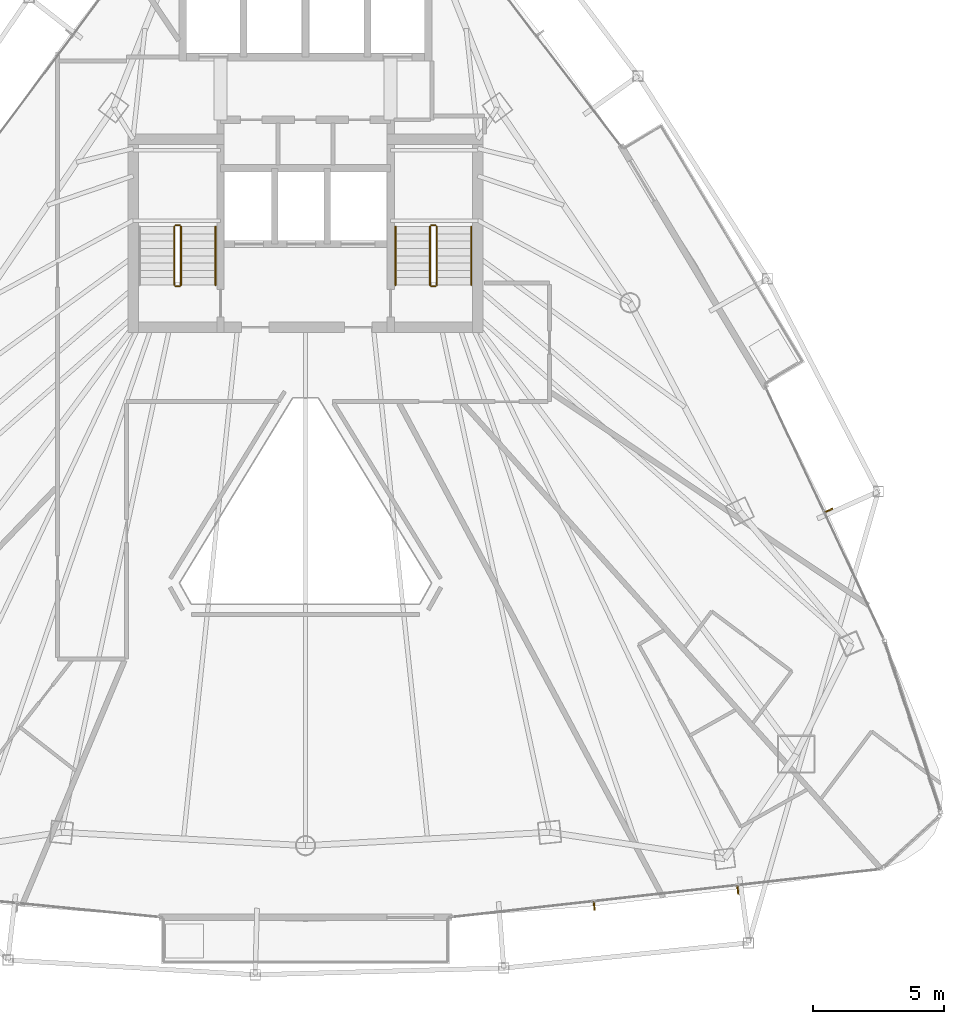
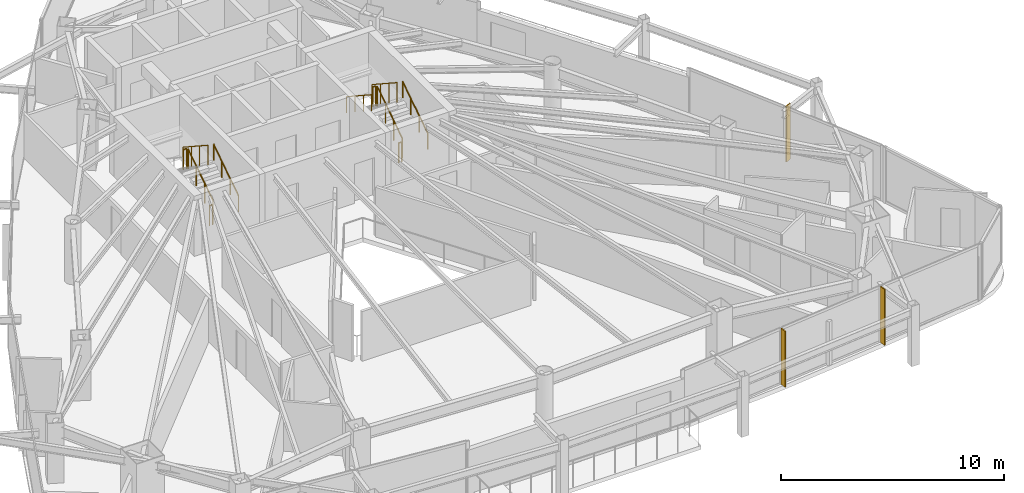
# One storey, part 29 of 30: 11 railings, 3 shading devices.
"""IFC4 building model written with IfcOpenShell, lengths in metres."""

from ifc_helpers import new_model, si_unit, direction, frame, origin, origin_2d, place, context, subcontext, project, spatial, rectangle, circle, extrude, material, layer, layer_set, type_object, element, save


model = new_model("IFC4")

# Units and contexts
model_context = context("Model", 3, precision=1e-05, world=origin(), true_north=direction((0.0, 1.0)))
body_context = subcontext(model_context, "Body", "Model", "MODEL_VIEW")
ifc_project = project(units=[si_unit("LENGTHUNIT", "METRE"), si_unit("AREAUNIT", "SQUARE_METRE"), si_unit("VOLUMEUNIT", "CUBIC_METRE"), si_unit("PLANEANGLEUNIT", "RADIAN"), si_unit("MASSUNIT", "GRAM", prefix="KILO")], contexts=[model_context])

# Site, building, storey
site_placement = place(None, origin())
site = spatial("IfcSite", under=ifc_project, at=site_placement, CompositionType="ELEMENT")
building_placement = place(site_placement, origin())
building = spatial("IfcBuilding", under=site, at=building_placement, Name="Orvanel Arch Residences", CompositionType="ELEMENT")
storey_placement = place(building_placement, frame((0.0, 0.0, 180.35009765625)))
storey = spatial("IfcBuildingStorey", under=building, at=storey_placement, Name="L51", CompositionType="ELEMENT", Elevation=180.35009765625)

# Shading devices
ifc_material_1 = material(Name="Bronze-anodised aluminium AA6063-T6", Category="aluminium")
ifc_layer = layer(ifc_material_1, 0.054931640625)
ifc_layer_set = layer_set([ifc_layer], Name="Bronze-anodised aluminium AA6063-T6")
shading_device_type = type_object("IfcShadingDeviceType", Name="FIN-BRZ-320", PredefinedType="USERDEFINED", material=ifc_layer_set)
for number, where, z_axis, x_axis, name in (
    (1, (44.05908203125, 4.528076171875, -0.000244140625), (0.0, 0.0, 1.0), (0.111468932206, -0.993767919161, 0.0), "L51 Anodised Bronze Mullion FIN 01"),
    (2, (49.56103515625, 5.14306640625, -0.000244140625), (0.0, 0.0, 1.0), (0.111468932206, -0.993767919161, 0.0), "L51 Anodised Bronze Mullion FIN 02"),
    (3, (53.049072265625, 19.68701171875, -0.000244140625), (0.0, 0.0, 1.0), (0.904827052466, 0.425779291565, 0.0), "L51 Anodised Bronze Mullion FIN 01"),
):
    element("IfcShadingDevice", number, at=place(storey_placement, frame(where, z_axis=z_axis, x_axis=x_axis)), inside=storey, type_object=shading_device_type, Name=name, ObjectType="FIN", PredefinedType="USERDEFINED", context=body_context, shape_type="SweptSolid", body=[
        extrude(rectangle(XDim=0.320068359375, YDim=0.054931640625, at=origin_2d()), origin(), (0.0, 0.0, 1.0), 3.06005859375),
    ])

# Railings
ifc_material_2 = material(Name="Structural steel AS/NZS 1163 C350L0 (Grade 350)", Category="steel")
railing_type_1 = type_object("IfcRailingType", Name="RL-STAIR-GUARD", PredefinedType="GUARDRAIL", material=ifc_material_2)
railing_1_placement = place(storey_placement, frame((28.22998046875, 28.320068359375, 0.183349609375)))
element("IfcRailing", 4, at=railing_1_placement, inside=storey, type_object=railing_type_1, Name="L51 ST-1 stair guard 1", PredefinedType="GUARDRAIL", context=body_context, shape_type="SweptSolid", body=[
    extrude(circle(Radius=0.02392578125, at=origin_2d()), frame((0.0, 0.001220703125, 1.076904296875), z_axis=(0.0, 0.836636935527, 0.547757827979), x_axis=(-1.0, 0.0, 0.0)), (0.0, 0.0, 1.0), 2.67431640625),
    extrude(circle(Radius=0.02099609375, at=origin_2d()), origin(), (0.0, 0.0, 1.0), 1.050048828125),
    extrude(circle(Radius=0.02099609375, at=origin_2d()), frame((0.0, 0.74658203125, 0.48876953125)), (0.0, 0.0, 1.0), 1.050048828125),
    extrude(circle(Radius=0.02099609375, at=origin_2d()), frame((0.0, 1.493408203125, 0.977783203125)), (0.0, 0.0, 1.0), 1.050048828125),
    extrude(circle(Radius=0.02099609375, at=origin_2d()), frame((0.0, 2.239990234375, 1.466552734375)), (0.0, 0.0, 1.0), 1.050048828125),
])
railing_2_placement = place(storey_placement, frame((28.179931640625, 30.610107421875, 1.64990234375)))
element("IfcRailing", 5, at=railing_2_placement, inside=storey, type_object=railing_type_1, Name="L51 ST-1 stair guard 2", PredefinedType="GUARDRAIL", context=body_context, shape_type="SweptSolid", body=[
    extrude(circle(Radius=0.02392578125, at=origin_2d()), frame((-0.00146484375, 0.0, 1.076171875), z_axis=(-1.0, 0.0, 0.0), x_axis=(0.0, -1.0, 0.0)), (0.0, 0.0, 1.0), 0.156982421875),
    extrude(circle(Radius=0.02099609375, at=origin_2d()), origin(), (0.0, 0.0, 1.0), 1.050048828125),
    extrude(circle(Radius=0.02099609375, at=origin_2d()), frame((-0.159912109375, 0.0, 0.0)), (0.0, 0.0, 1.0), 1.050048828125),
])
railing_3_placement = place(storey_placement, frame((27.969970703125, 30.56005859375, 1.833251953125)))
element("IfcRailing", 6, at=railing_3_placement, inside=storey, type_object=railing_type_1, Name="L51 ST-1 stair guard 3", PredefinedType="GUARDRAIL", context=body_context, shape_type="SweptSolid", body=[
    extrude(circle(Radius=0.02392578125, at=origin_2d()), frame((0.0, -0.001220703125, 1.076904296875), z_axis=(0.0, -0.836636935527, 0.547757827979), x_axis=(1.0, 0.0, 0.0)), (0.0, 0.0, 1.0), 2.67431640625),
    extrude(circle(Radius=0.02099609375, at=origin_2d()), origin(), (0.0, 0.0, 1.0), 1.050048828125),
    extrude(circle(Radius=0.02099609375, at=origin_2d()), frame((0.0, -0.74658203125, 0.48876953125)), (0.0, 0.0, 1.0), 1.050048828125),
    extrude(circle(Radius=0.02099609375, at=origin_2d()), frame((0.0, -1.493408203125, 0.977783203125)), (0.0, 0.0, 1.0), 1.050048828125),
    extrude(circle(Radius=0.02099609375, at=origin_2d()), frame((0.0, -2.239990234375, 1.466552734375)), (0.0, 0.0, 1.0), 1.050048828125),
])
railing_4_placement = place(storey_placement, frame((28.179931640625, 28.27001953125, 0.0)))
element("IfcRailing", 7, at=railing_4_placement, inside=storey, type_object=railing_type_1, Name="L51 ST-1 stair guard 4", PredefinedType="GUARDRAIL", context=body_context, shape_type="SweptSolid", body=[
    extrude(circle(Radius=0.02392578125, at=origin_2d()), frame((-0.00146484375, 0.0, 1.076171875), z_axis=(-1.0, 0.0, 0.0), x_axis=(0.0, -1.0, 0.0)), (0.0, 0.0, 1.0), 0.156982421875),
    extrude(circle(Radius=0.02099609375, at=origin_2d()), origin(), (0.0, 0.0, 1.0), 1.050048828125),
    extrude(circle(Radius=0.02099609375, at=origin_2d()), frame((-0.159912109375, 0.0, 0.0)), (0.0, 0.0, 1.0), 1.050048828125),
])
railing_5_placement = place(storey_placement, frame((38.030029296875, 28.320068359375, 0.183349609375)))
element("IfcRailing", 8, at=railing_5_placement, inside=storey, type_object=railing_type_1, Name="L51 ST-2 stair guard 1", PredefinedType="GUARDRAIL", context=body_context, shape_type="SweptSolid", body=[
    extrude(circle(Radius=0.02392578125, at=origin_2d()), frame((0.0, 0.001220703125, 1.076904296875), z_axis=(0.0, 0.836636935527, 0.547757827979), x_axis=(-1.0, 0.0, 0.0)), (0.0, 0.0, 1.0), 2.67431640625),
    extrude(circle(Radius=0.02099609375, at=origin_2d()), origin(), (0.0, 0.0, 1.0), 1.050048828125),
    extrude(circle(Radius=0.02099609375, at=origin_2d()), frame((0.0, 0.74658203125, 0.48876953125)), (0.0, 0.0, 1.0), 1.050048828125),
    extrude(circle(Radius=0.02099609375, at=origin_2d()), frame((0.0, 1.493408203125, 0.977783203125)), (0.0, 0.0, 1.0), 1.050048828125),
    extrude(circle(Radius=0.02099609375, at=origin_2d()), frame((0.0, 2.239990234375, 1.466552734375)), (0.0, 0.0, 1.0), 1.050048828125),
])
railing_6_placement = place(storey_placement, frame((37.97998046875, 30.610107421875, 1.64990234375)))
element("IfcRailing", 9, at=railing_6_placement, inside=storey, type_object=railing_type_1, Name="L51 ST-2 stair guard 2", PredefinedType="GUARDRAIL", context=body_context, shape_type="SweptSolid", body=[
    extrude(circle(Radius=0.02392578125, at=origin_2d()), frame((-0.00146484375, 0.0, 1.076171875), z_axis=(-1.0, 0.0, 0.0), x_axis=(0.0, -1.0, 0.0)), (0.0, 0.0, 1.0), 0.156982421875),
    extrude(circle(Radius=0.02099609375, at=origin_2d()), origin(), (0.0, 0.0, 1.0), 1.050048828125),
    extrude(circle(Radius=0.02099609375, at=origin_2d()), frame((-0.159912109375, 0.0, 0.0)), (0.0, 0.0, 1.0), 1.050048828125),
])
railing_7_placement = place(storey_placement, frame((37.77001953125, 30.56005859375, 1.833251953125)))
element("IfcRailing", 10, at=railing_7_placement, inside=storey, type_object=railing_type_1, Name="L51 ST-2 stair guard 3", PredefinedType="GUARDRAIL", context=body_context, shape_type="SweptSolid", body=[
    extrude(circle(Radius=0.02392578125, at=origin_2d()), frame((0.0, -0.001220703125, 1.076904296875), z_axis=(0.0, -0.836636935527, 0.547757827979), x_axis=(1.0, 0.0, 0.0)), (0.0, 0.0, 1.0), 2.67431640625),
    extrude(circle(Radius=0.02099609375, at=origin_2d()), origin(), (0.0, 0.0, 1.0), 1.050048828125),
    extrude(circle(Radius=0.02099609375, at=origin_2d()), frame((0.0, -0.74658203125, 0.48876953125)), (0.0, 0.0, 1.0), 1.050048828125),
    extrude(circle(Radius=0.02099609375, at=origin_2d()), frame((0.0, -1.493408203125, 0.977783203125)), (0.0, 0.0, 1.0), 1.050048828125),
    extrude(circle(Radius=0.02099609375, at=origin_2d()), frame((0.0, -2.239990234375, 1.466552734375)), (0.0, 0.0, 1.0), 1.050048828125),
])
railing_8_placement = place(storey_placement, frame((37.97998046875, 28.27001953125, 0.0)))
element("IfcRailing", 11, at=railing_8_placement, inside=storey, type_object=railing_type_1, Name="L51 ST-2 stair guard 4", PredefinedType="GUARDRAIL", context=body_context, shape_type="SweptSolid", body=[
    extrude(circle(Radius=0.02392578125, at=origin_2d()), frame((-0.00146484375, 0.0, 1.076171875), z_axis=(-1.0, 0.0, 0.0), x_axis=(0.0, -1.0, 0.0)), (0.0, 0.0, 1.0), 0.156982421875),
    extrude(circle(Radius=0.02099609375, at=origin_2d()), origin(), (0.0, 0.0, 1.0), 1.050048828125),
    extrude(circle(Radius=0.02099609375, at=origin_2d()), frame((-0.159912109375, 0.0, 0.0)), (0.0, 0.0, 1.0), 1.050048828125),
])
railing_type_2 = type_object("IfcRailingType", Name="RL-STAIR-HAND", PredefinedType="HANDRAIL", material=ifc_material_2)
for number, where, name in (
    (12, (29.550048828125, 28.320068359375, 0.183349609375), "L51 ST-1 stair handrail 1"),
    (13, (39.35009765625, 28.320068359375, 0.183349609375), "L51 ST-2 stair handrail 1"),
):
    element("IfcRailing", number, at=place(storey_placement, frame(where)), inside=storey, type_object=railing_type_2, Name=name, PredefinedType="HANDRAIL", context=body_context, shape_type="SweptSolid", body=[
        extrude(circle(Radius=0.02392578125, at=origin_2d()), frame((0.0, 0.001220703125, 0.876708984375), z_axis=(0.0, 0.836636935527, 0.547757827979), x_axis=(-1.0, 0.0, 0.0)), (0.0, 0.0, 1.0), 2.67431640625),
        extrude(circle(Radius=0.02099609375, at=origin_2d()), origin(), (0.0, 0.0, 1.0), 0.849853515625),
        extrude(circle(Radius=0.02099609375, at=origin_2d()), frame((0.0, 0.74658203125, 0.48876953125)), (0.0, 0.0, 1.0), 0.849853515625),
        extrude(circle(Radius=0.02099609375, at=origin_2d()), frame((0.0, 1.493408203125, 0.977783203125)), (0.0, 0.0, 1.0), 0.849853515625),
        extrude(circle(Radius=0.02099609375, at=origin_2d()), frame((0.0, 2.239990234375, 1.466552734375)), (0.0, 0.0, 1.0), 0.849853515625),
    ])
railing_9_placement = place(storey_placement, frame((36.449951171875, 30.56005859375, 1.833251953125)))
element("IfcRailing", 14, at=railing_9_placement, inside=storey, type_object=railing_type_2, Name="L51 ST-2 stair handrail 2", PredefinedType="HANDRAIL", context=body_context, shape_type="SweptSolid", body=[
    extrude(circle(Radius=0.02392578125, at=origin_2d()), frame((0.0, -0.001220703125, 0.876708984375), z_axis=(0.0, -0.836636935527, 0.547757827979), x_axis=(1.0, 0.0, 0.0)), (0.0, 0.0, 1.0), 2.67431640625),
    extrude(circle(Radius=0.02099609375, at=origin_2d()), origin(), (0.0, 0.0, 1.0), 0.849853515625),
    extrude(circle(Radius=0.02099609375, at=origin_2d()), frame((0.0, -0.74658203125, 0.48876953125)), (0.0, 0.0, 1.0), 0.849853515625),
    extrude(circle(Radius=0.02099609375, at=origin_2d()), frame((0.0, -1.493408203125, 0.977783203125)), (0.0, 0.0, 1.0), 0.849853515625),
    extrude(circle(Radius=0.02099609375, at=origin_2d()), frame((0.0, -2.239990234375, 1.466552734375)), (0.0, 0.0, 1.0), 0.849853515625),
])

save(model, "model.ifc")
